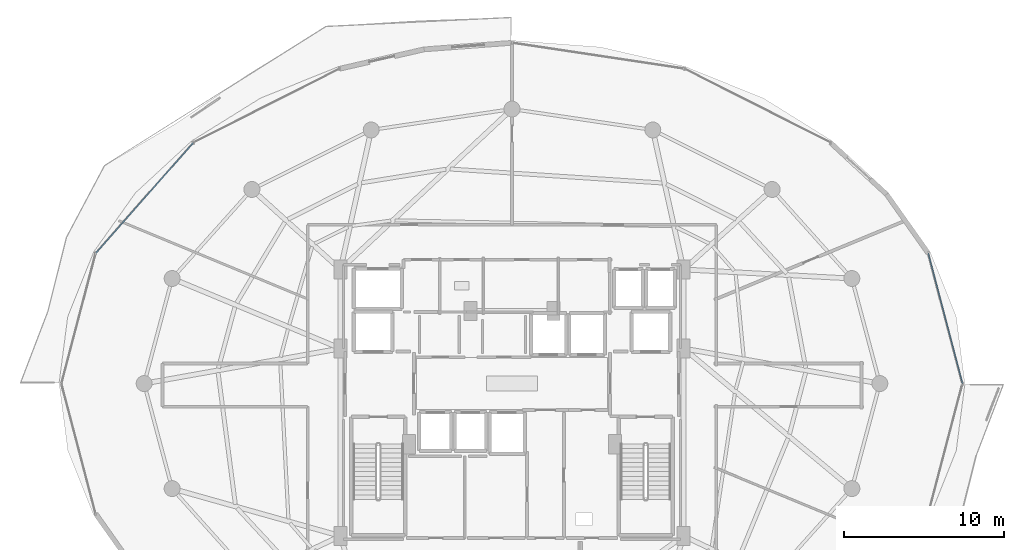
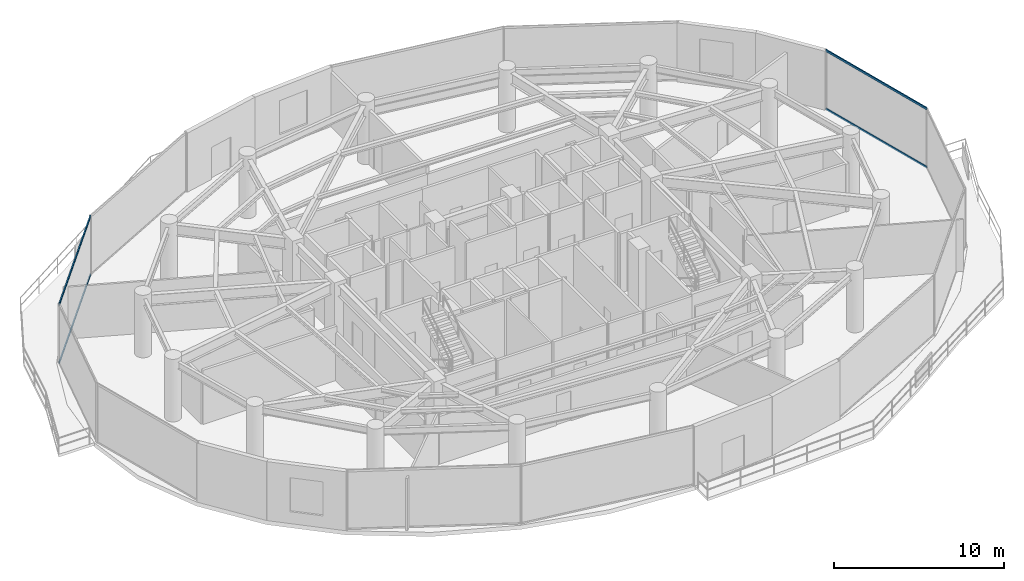
# One storey, part 17 of 31: 4 members, 2 elements without a shape of their own.
"""IFC4 building model written with IfcOpenShell, lengths in metres."""

from ifc_helpers import new_model, si_unit, direction, frame, origin, origin_2d, place, context, subcontext, project, spatial, hollow_rectangle, extrude, material, material_profile, profile_set, type_object, element, aggregate, save


model = new_model("IFC4")

# Units and contexts
model_context = context("Model", 3, precision=1e-05, world=origin(), true_north=direction((0.0, 1.0)))
body_context = subcontext(model_context, "Body", "Model", "MODEL_VIEW")
ifc_project = project(units=[si_unit("LENGTHUNIT", "METRE"), si_unit("AREAUNIT", "SQUARE_METRE"), si_unit("VOLUMEUNIT", "CUBIC_METRE"), si_unit("PLANEANGLEUNIT", "RADIAN"), si_unit("MASSUNIT", "GRAM", prefix="KILO")], contexts=[model_context])

# Site, building, storey
site_placement = place(None, origin())
site = spatial("IfcSite", under=ifc_project, at=site_placement, CompositionType="ELEMENT")
building_placement = place(site_placement, origin())
building = spatial("IfcBuilding", under=site, at=building_placement, Name="Vorneva Point Tower", CompositionType="ELEMENT")
storey_placement = place(building_placement, frame((0.0, 0.0, 174.60009765625)))
storey = spatial("IfcBuildingStorey", under=building, at=storey_placement, Name="L47", CompositionType="ELEMENT", Elevation=174.60009765625)

# Curtain wall, members
ifc_material = material(Name="Pale anodised aluminium", Category="aluminium")
curtain_wall_type = type_object("IfcCurtainWallType", Name="CW-SKY-SYS", PredefinedType="NOTDEFINED", material=ifc_material)
curtain_wall_1_placement = place(storey_placement, origin())
curtain_wall_1 = element("IfcCurtainWall", 1, at=curtain_wall_1_placement, inside=storey, type_object=curtain_wall_type, Name="L47 Unitised Curtain Wall CW-L47-R01", PredefinedType="NOTDEFINED")
ifc_material_profile = material_profile(ifc_material, hollow_rectangle(XDim=0.074951171875, YDim=0.14990234375, WallThickness=0.00390625, at=origin_2d()), Name="AL-TRN 150x75x4")
ifc_profile_set = profile_set([ifc_material_profile], Name="Pale anodised aluminium")
member_type = type_object("IfcMemberType", Name="CW-TRN-150", PredefinedType="USERDEFINED", material=ifc_profile_set)
member_1_placement = place(storey_placement, frame((66.22998046875, 26.0, 0.02001953125), z_axis=(-0.254362431281, 0.967108966742, 0.0), x_axis=(-0.967108966742, -0.254362431281, 0.0)))
member_1 = element("IfcMember", 2, at=member_1_placement, type_object=member_type, Name="CW-L47-R01 Transom 04.1", ObjectType="TRANSOM", PredefinedType="USERDEFINED", context=body_context, shape_type="SweptSolid", body=[
    extrude(hollow_rectangle(XDim=0.074951171875, YDim=0.14990234375, WallThickness=0.00390625, at=origin_2d()), origin(), (0.0, 0.0, 1.0), 8.4482421875),
])
member_2_placement = place(storey_placement, frame((66.22998046875, 26.0, 4.219970703125), z_axis=(-0.254362431281, 0.967108966742, 0.0), x_axis=(-0.967108966742, -0.254362431281, 0.0)))
member_2 = element("IfcMember", 3, at=member_2_placement, type_object=member_type, Name="CW-L47-R01 Transom 04.2", ObjectType="TRANSOM", PredefinedType="USERDEFINED", context=body_context, shape_type="SweptSolid", body=[
    extrude(hollow_rectangle(XDim=0.074951171875, YDim=0.14990234375, WallThickness=0.00390625, at=origin_2d()), origin(), (0.0, 0.0, 1.0), 8.4482421875),
])
aggregate(curtain_wall_1, [member_1, member_2])

curtain_wall_2_placement = place(storey_placement, origin())
curtain_wall_2 = element("IfcCurtainWall", 4, at=curtain_wall_2_placement, inside=storey, type_object=curtain_wall_type, Name="L47 Unitised Curtain Wall CW-L47-R03", PredefinedType="NOTDEFINED")
member_3_placement = place(storey_placement, frame((18.038330078125, 41.0966796875, 0.02001953125), z_axis=(-0.662106383869, -0.749409858782, 0.0), x_axis=(0.749409858782, -0.662106383869, 0.0)))
member_3 = element("IfcMember", 5, at=member_3_placement, type_object=member_type, Name="CW-L47-R03 Transom 02.1", ObjectType="TRANSOM", PredefinedType="USERDEFINED", context=body_context, shape_type="SweptSolid", body=[
    extrude(hollow_rectangle(XDim=0.074951171875, YDim=0.14990234375, WallThickness=0.00390625, at=origin_2d()), origin(), (0.0, 0.0, 1.0), 9.2421875),
])
member_4_placement = place(storey_placement, frame((18.038330078125, 41.0966796875, 4.219970703125), z_axis=(-0.662106383869, -0.749409858782, 0.0), x_axis=(0.749409858782, -0.662106383869, 0.0)))
member_4 = element("IfcMember", 6, at=member_4_placement, type_object=member_type, Name="CW-L47-R03 Transom 02.2", ObjectType="TRANSOM", PredefinedType="USERDEFINED", context=body_context, shape_type="SweptSolid", body=[
    extrude(hollow_rectangle(XDim=0.074951171875, YDim=0.14990234375, WallThickness=0.00390625, at=origin_2d()), origin(), (0.0, 0.0, 1.0), 9.2421875),
])
aggregate(curtain_wall_2, [member_3, member_4])

save(model, "model.ifc")
